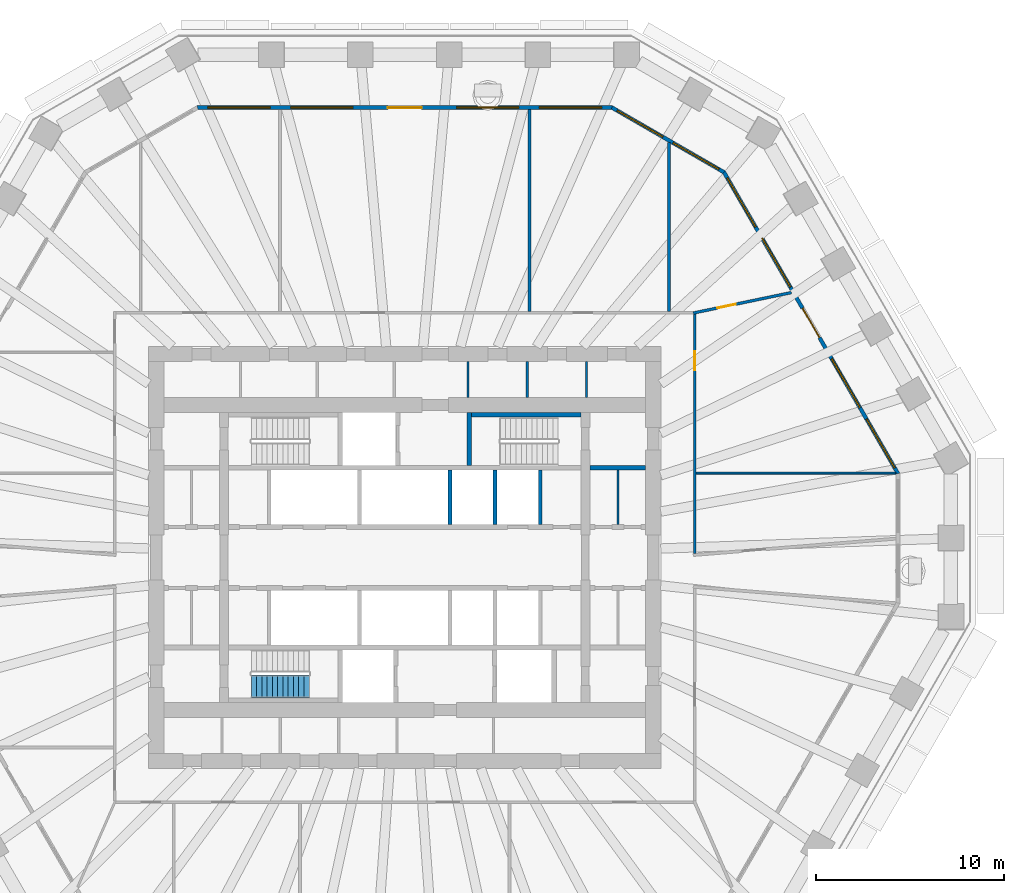
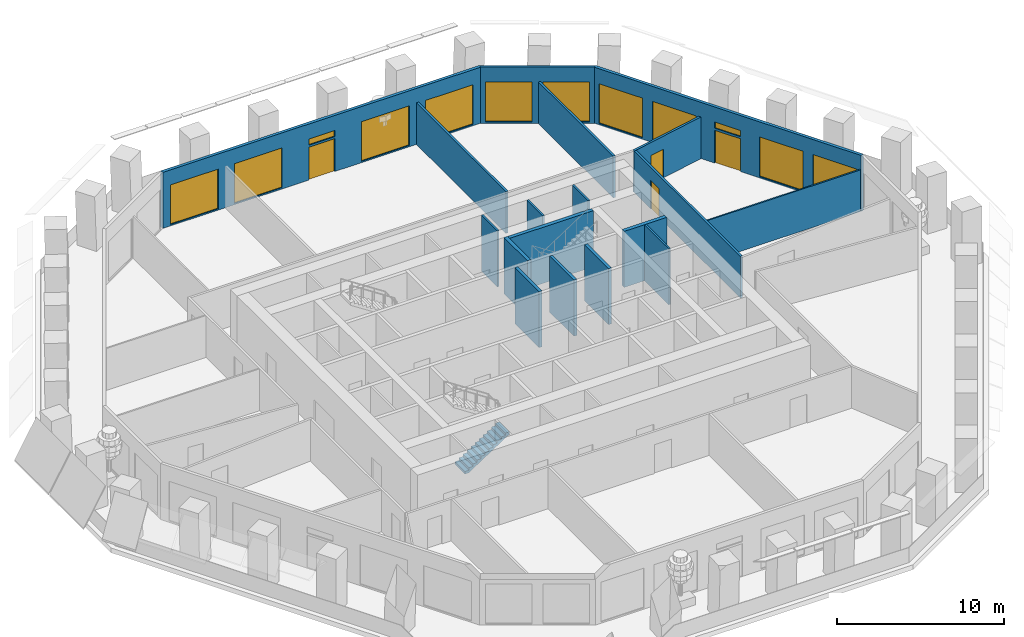
# One storey, part 8 of 13: 18 walls, 12 windows, 4 doors, 1 stair flight, 16 openings, 1 element without a shape of its own.
"""IFC4 building model written with IfcOpenShell, lengths in metres."""

from ifc_helpers import new_model, si_unit, direction, frame, frame_2d, origin, place, context, subcontext, project, spatial, polyline, rectangle, outline, extrude, material, layer, layer_set, type_object, element, fill, aggregate, save


model = new_model("IFC4")

# Units and contexts
model_context = context("Model", 3, precision=1e-05, world=origin(), true_north=direction((0.0, 1.0)))
body_context = subcontext(model_context, "Body", "Model", "MODEL_VIEW")
ifc_project = project(units=[si_unit("LENGTHUNIT", "METRE"), si_unit("AREAUNIT", "SQUARE_METRE"), si_unit("VOLUMEUNIT", "CUBIC_METRE"), si_unit("PLANEANGLEUNIT", "RADIAN"), si_unit("MASSUNIT", "GRAM", prefix="KILO")], contexts=[model_context])

# Site, building, storey
site_placement = place(None, origin())
site = spatial("IfcSite", under=ifc_project, at=site_placement, CompositionType="ELEMENT")
building_placement = place(site_placement, origin())
building = spatial("IfcBuilding", under=site, at=building_placement, Name="Frailejon Research Tower", CompositionType="ELEMENT")
storey_placement = place(building_placement, frame((0.0, 0.0, 113.199951171875)))
storey = spatial("IfcBuildingStorey", under=building, at=storey_placement, Name="L24", CompositionType="ELEMENT", Elevation=113.199951171875)

# Walls
ifc_material_1 = material(Name="Plasterboard on steel studs", Category="steel")
ifc_layer_1 = layer(ifc_material_1, 0.125)
ifc_layer_set_1 = layer_set([ifc_layer_1], Name="Core partition 125")
wall_type_1 = type_object("IfcWallType", Name="Core partition 125", PredefinedType="PARTITIONING", material=ifc_layer_set_1)
for number, where, z_axis, x_axis, name in (
    (1, (3.362548828125, 8.5, 0.0), (0.0, 0.0, 1.0), (0.0, 1.0, 0.0), "Core partition"),
    (2, (6.50830078125, 8.5, 0.0), (0.0, 0.0, 1.0), (0.0, 1.0, 0.0), "Core partition"),
    (3, (9.654296875, 8.5, 0.0), (0.0, 0.0, 1.0), (0.0, 1.0, 0.0), "Core partition"),
):
    element("IfcWall", number, at=place(storey_placement, frame(where, z_axis=z_axis, x_axis=x_axis)), inside=storey, type_object=wall_type_1, Name=name, PredefinedType="PARTITIONING", context=body_context, shape_type="SweptSolid", body=[
        extrude(rectangle(XDim=1.89990234375, YDim=0.125, at=frame_2d((0.949951171875, 0.0))), origin(), (0.0, 0.0, 1.0), 4.10009765625),
    ])
wall_1_placement = place(storey_placement, frame((11.324951171875, 1.75, 0.0), z_axis=(0.0, 0.0, 1.0), x_axis=(0.0, 1.0, 0.0)))
element("IfcWall", 4, at=wall_1_placement, inside=storey, type_object=wall_type_1, Name="Core partition", PredefinedType="PARTITIONING", context=body_context, shape_type="SweptSolid", body=[
    extrude(rectangle(XDim=2.89990234375, YDim=0.125, at=frame_2d((1.449951171875, 0.0))), origin(), (0.0, 0.0, 1.0), 4.10009765625),
])

# Wall, opening, door
ifc_material_2 = material(Name="Gypsum board and masonry partition", Category="masonry")
ifc_layer_2 = layer(ifc_material_2, 0.14990234375)
ifc_layer_set_2 = layer_set([ifc_layer_2], Name="Corridor wall EI 60, gypsum on steel studs 150")
wall_type_2 = type_object("IfcWallType", Name="Corridor wall EI 60, gypsum on steel studs 150", PredefinedType="PARTITIONING", material=ifc_layer_set_2)
wall_2_placement = place(storey_placement, frame((15.39990234375, 0.211181640625, 0.0), z_axis=(0.0, 0.0, 1.0), x_axis=(0.0, 1.0, 0.0)))
wall_2 = element("IfcWall", 5, at=wall_2_placement, inside=storey, type_object=wall_type_2, Name="T:IW:L24:002", PredefinedType="PARTITIONING", context=body_context, shape_type="SweptSolid", body=[
    extrude(rectangle(XDim=12.7138671875, YDim=0.14990234375, at=frame_2d((6.35693359375, 0.0))), origin(), (0.0, 0.0, 1.0), 3.050048828125),
])
opening_1_placement = place(wall_2_placement, frame((9.734375, 0.0, 0.0)))
opening_1 = element("IfcOpeningElement", 6, at=opening_1_placement, cuts=wall_2, Name="Opening D1600", PredefinedType="OPENING", context=body_context, shape_type="SweptSolid", body=[
    extrude(rectangle(XDim=1.0, YDim=2.10009765625, at=frame_2d((0.5, 1.050048828125))), frame((0.0, 0.0849609375, 0.0), z_axis=(0.0, -1.0, 0.0), x_axis=(1.0, 0.0, 0.0)), (0.0, 0.0, 1.0), 0.169921875),
])
ifc_material_3 = material(Name="Timber door leaf", Category="wood")
door_type_1 = type_object("IfcDoorType", Name="Door single leaf, timber, steel frame 1000", OperationType="NOTDEFINED", PredefinedType="DOOR", material=ifc_material_3)
door_1_placement = place(opening_1_placement, origin())
door_1 = element("IfcDoor", 7, at=door_1_placement, inside=storey, type_object=door_type_1, Name="D1600", OperationType="SINGLE_SWING_LEFT", OverallHeight=2.10009765625, OverallWidth=1.0, PredefinedType="DOOR", context=body_context, shape_type="SweptSolid", body=[
    extrude(rectangle(XDim=1.0, YDim=2.10009765625, at=frame_2d((0.5, 1.050048828125))), frame((0.0, 0.02490234375, 0.0), z_axis=(0.0, -1.0, 0.0), x_axis=(1.0, 0.0, 0.0)), (0.0, 0.0, 1.0), 0.050048828125),
])
fill(opening_1, door_1)

ifc_material_4 = material(Name="Gypsum board and masonry partition", Category="masonry")
ifc_layer_3 = layer(ifc_material_4, 0.14990234375)
ifc_layer_set_3 = layer_set([ifc_layer_3], Name="Laboratory partition, blockwork 150")
wall_type_3 = type_object("IfcWallType", Name="Laboratory partition, blockwork 150", PredefinedType="PARTITIONING", material=ifc_layer_set_3)
wall_3_placement = place(storey_placement, frame((15.32666015625, 12.984619140625, 0.0), z_axis=(0.0, 0.0, 1.0), x_axis=(0.978908186313, 0.204300667571, 0.0)))
wall_3 = element("IfcWall", 8, at=wall_3_placement, inside=storey, type_object=wall_type_3, Name="T:IW:L24:011", PredefinedType="PARTITIONING", context=body_context, shape_type="SweptSolid", body=[
    extrude(rectangle(XDim=5.319091796875, YDim=0.14990234375, at=frame_2d((2.65966796875, 0.0))), origin(), (0.0, 0.0, 1.0), 3.050048828125),
])
opening_2_placement = place(wall_3_placement, frame((1.31103515625, 0.0, 0.0)))
opening_2 = element("IfcOpeningElement", 9, at=opening_2_placement, cuts=wall_3, Name="Opening D1601", PredefinedType="OPENING", context=body_context, shape_type="SweptSolid", body=[
    extrude(rectangle(XDim=1.0, YDim=2.10009765625, at=frame_2d((0.5, 1.050048828125))), frame((0.0, 0.0849609375, 0.0), z_axis=(0.0, -1.0, 0.0), x_axis=(1.0, 0.0, 0.0)), (0.0, 0.0, 1.0), 0.169921875),
])
ifc_material_5 = material(Name="Timber door leaf", Category="wood")
door_type_2 = type_object("IfcDoorType", Name="Door laboratory, timber, vision panel 1000", OperationType="NOTDEFINED", PredefinedType="DOOR", material=ifc_material_5)
door_2_placement = place(opening_2_placement, origin())
door_2 = element("IfcDoor", 10, at=door_2_placement, inside=storey, type_object=door_type_2, Name="D1601", OperationType="SINGLE_SWING_RIGHT", OverallHeight=2.10009765625, OverallWidth=1.0, PredefinedType="DOOR", context=body_context, shape_type="SweptSolid", body=[
    extrude(rectangle(XDim=1.0, YDim=2.10009765625, at=frame_2d((0.5, 1.050048828125))), frame((0.0, 0.02490234375, 0.0), z_axis=(0.0, -1.0, 0.0), x_axis=(1.0, 0.0, 0.0)), (0.0, 0.0, 1.0), 0.050048828125),
])
fill(opening_2, door_2)

# Walls
wall_4_placement = place(storey_placement, frame((14.031982421875, 13.074951171875, 0.0), z_axis=(0.0, 0.0, 1.0), x_axis=(0.0, 1.0, 0.0)))
element("IfcWall", 11, at=wall_4_placement, inside=storey, type_object=wall_type_3, Name="T:IW:L24:012", PredefinedType="PARTITIONING", context=body_context, shape_type="SweptSolid", body=[
    extrude(rectangle(XDim=8.962158203125, YDim=0.14990234375, at=frame_2d((4.48095703125, 0.0))), origin(), (0.0, 0.0, 1.0), 3.050048828125),
])
wall_5_placement = place(storey_placement, frame((6.619384765625, 13.074951171875, 0.0), z_axis=(0.0, 0.0, 1.0), x_axis=(0.0, 1.0, 0.0)))
element("IfcWall", 12, at=wall_5_placement, inside=storey, type_object=wall_type_3, Name="T:IW:L24:013", PredefinedType="PARTITIONING", context=body_context, shape_type="SweptSolid", body=[
    extrude(rectangle(XDim=10.72509765625, YDim=0.14990234375, at=frame_2d((5.362548828125, 0.0))), origin(), (0.0, 0.0, 1.0), 3.050048828125),
])
ifc_material_6 = material(Name="Gypsum board and masonry partition", Category="masonry")
ifc_layer_4 = layer(ifc_material_6, 0.10009765625)
ifc_layer_set_4 = layer_set([ifc_layer_4], Name="Partition, gypsum on steel studs 100")
wall_type_4 = type_object("IfcWallType", Name="Partition, gypsum on steel studs 100", PredefinedType="PARTITIONING", material=ifc_layer_set_4)
wall_6_placement = place(storey_placement, frame((15.47509765625, 4.482421875, 0.0), z_axis=(0.0, 0.0, 1.0), x_axis=(1.0, 0.0, 0.0)))
element("IfcWall", 13, at=wall_6_placement, inside=storey, type_object=wall_type_4, Name="T:IW:L24:021", PredefinedType="PARTITIONING", context=body_context, shape_type="SweptSolid", body=[
    extrude(rectangle(XDim=10.594482421875, YDim=0.10009765625, at=frame_2d((5.29736328125, 0.0))), origin(), (0.0, 0.0, 1.0), 3.050048828125),
])
ifc_material_7 = material(Name="Concrete C70/85", Category="concrete")
ifc_layer_5 = layer(ifc_material_7, 0.199951171875)
ifc_layer_set_5 = layer_set([ifc_layer_5], Name="Shaft wall 200 C70/85")
wall_type_5 = type_object("IfcWallType", Name="Shaft wall 200 C70/85", PredefinedType="SOLIDWALL", material=ifc_layer_set_5)
for number, where, z_axis, x_axis, name in (
    (14, (2.39990234375, 1.75, 0.0), (0.0, 0.0, 1.0), (0.0, 1.0, 0.0), "Shaft wall"),
    (15, (4.800048828125, 1.75, 0.0), (0.0, 0.0, 1.0), (0.0, 1.0, 0.0), "Shaft wall"),
    (16, (7.199951171875, 1.75, 0.0), (0.0, 0.0, 1.0), (0.0, 1.0, 0.0), "Shaft wall"),
):
    element("IfcWall", number, at=place(storey_placement, frame(where, z_axis=z_axis, x_axis=x_axis)), inside=storey, type_object=wall_type_5, Name=name, PredefinedType="SOLIDWALL", context=body_context, shape_type="SweptSolid", body=[
        extrude(rectangle(XDim=2.89990234375, YDim=0.199951171875, at=frame_2d((1.449951171875, 0.0))), origin(), (0.0, 0.0, 1.0), 4.10009765625),
    ])
ifc_material_8 = material(Name="Concrete C70/85", Category="concrete")
ifc_layer_6 = layer(ifc_material_8, 0.25)
ifc_layer_set_6 = layer_set([ifc_layer_6], Name="Shaft wall 250 C70/85")
wall_type_6 = type_object("IfcWallType", Name="Shaft wall 250 C70/85", PredefinedType="SOLIDWALL", material=ifc_layer_set_6)
wall_7_placement = place(storey_placement, frame((9.85009765625, 4.77490234375, 0.0), z_axis=(0.0, 0.0, 1.0), x_axis=(1.0, 0.0, 0.0)))
element("IfcWall", 17, at=wall_7_placement, inside=storey, type_object=wall_type_6, Name="Shaft wall", PredefinedType="SOLIDWALL", context=body_context, shape_type="SweptSolid", body=[
    extrude(rectangle(XDim=2.949951171875, YDim=0.25, at=frame_2d((1.47509765625, 0.0))), origin(), (0.0, 0.0, 1.0), 4.10009765625),
])
wall_8_placement = place(storey_placement, frame((3.550048828125, 7.574951171875, 0.0), z_axis=(0.0, 0.0, 1.0), x_axis=(1.0, 0.0, 0.0)))
element("IfcWall", 18, at=wall_8_placement, inside=storey, type_object=wall_type_6, Name="Shaft wall", PredefinedType="SOLIDWALL", context=body_context, shape_type="SweptSolid", body=[
    extrude(rectangle(XDim=5.800048828125, YDim=0.25, at=frame_2d((2.89990234375, 0.0))), origin(), (0.0, 0.0, 1.0), 4.10009765625),
])
wall_9_placement = place(storey_placement, frame((3.425048828125, 4.89990234375, 0.0), z_axis=(0.0, 0.0, 1.0), x_axis=(0.0, 1.0, 0.0)))
element("IfcWall", 19, at=wall_9_placement, inside=storey, type_object=wall_type_6, Name="Shaft wall", PredefinedType="SOLIDWALL", context=body_context, shape_type="SweptSolid", body=[
    extrude(rectangle(XDim=2.800048828125, YDim=0.25, at=frame_2d((1.39990234375, 0.0))), origin(), (0.0, 0.0, 1.0), 4.10009765625),
])

# Wall, openings, door, windows
ifc_material_9 = material(Name="Concrete C40/50 precast window wall panel", Category="concrete")
ifc_layer_7 = layer(ifc_material_9, 0.199951171875)
ifc_layer_set_7 = layer_set([ifc_layer_7], Name="Window wall 200")
wall_type_7 = type_object("IfcWallType", Name="Window wall 200", PredefinedType="SOLIDWALL", material=ifc_layer_set_7)
wall_10_placement = place(storey_placement, frame((26.20068359375, 4.45556640625, 0.0), z_axis=(0.0, 0.0, 1.0), x_axis=(-0.500000293238, 0.866025234483, 0.0)))
wall_10 = element("IfcWall", 20, at=wall_10_placement, inside=storey, type_object=wall_type_7, Name="Exterior wall L24", PredefinedType="SOLIDWALL", context=body_context, shape_type="SweptSolid", body=[
    extrude(outline(polyline([(-0.02685546875, -0.10009765625), (1.0029296875, -0.10009765625), (2.03271484375, -0.10009765625), (3.062744140625, -0.10009765625), (4.092529296875, -0.10009765625), (5.122314453125, -0.10009765625), (6.152099609375, -0.10009765625), (7.18212890625, -0.10009765625), (8.2119140625, -0.10009765625), (9.24169921875, -0.10009765625), (10.271484375, -0.10009765625), (11.30126953125, -0.10009765625), (12.331298828125, -0.10009765625), (13.361083984375, -0.10009765625), (14.390869140625, -0.10009765625), (15.420654296875, -0.10009765625), (16.45068359375, -0.10009765625), (17.48046875, -0.10009765625), (18.51025390625, -0.10009765625), (18.45654296875, 0.10009765625), (17.4326171875, 0.10009765625), (16.40869140625, 0.10009765625), (15.385009765625, 0.10009765625), (14.361083984375, 0.10009765625), (13.337158203125, 0.10009765625), (12.313232421875, 0.10009765625), (11.28955078125, 0.10009765625), (10.265625, 0.10009765625), (9.24169921875, 0.10009765625), (8.2177734375, 0.10009765625), (7.19384765625, 0.10009765625), (6.170166015625, 0.10009765625), (5.146240234375, 0.10009765625), (4.122314453125, 0.10009765625), (3.098388671875, 0.10009765625), (2.07470703125, 0.10009765625), (1.05078125, 0.10009765625), (0.02685546875, 0.10009765625), (-0.02685546875, -0.10009765625)])), origin(), (0.0, 0.0, 1.0), 4.10009765625),
])
opening_3_placement = place(wall_10_placement, frame((0.348388671875, 0.0, 0.10009765625)))
opening_3 = element("IfcOpeningElement", 21, at=opening_3_placement, cuts=wall_10, Name="Opening W4", PredefinedType="OPENING", context=body_context, shape_type="SweptSolid", body=[
    extrude(rectangle(XDim=3.0, YDim=2.89990234375, at=frame_2d((1.5, 1.449951171875))), frame((0.0, 0.10986328125, 0.0), z_axis=(0.0, -1.0, 0.0), x_axis=(1.0, 0.0, 0.0)), (0.0, 0.0, 1.0), 0.219970703125),
])
opening_4_placement = place(wall_10_placement, frame((4.044921875, 0.0, 0.10009765625)))
opening_4 = element("IfcOpeningElement", 22, at=opening_4_placement, cuts=wall_10, Name="Opening W4", PredefinedType="OPENING", context=body_context, shape_type="SweptSolid", body=[
    extrude(rectangle(XDim=3.0, YDim=2.89990234375, at=frame_2d((1.5, 1.449951171875))), frame((0.0, 0.10986328125, 0.0), z_axis=(0.0, -1.0, 0.0), x_axis=(1.0, 0.0, 0.0)), (0.0, 0.0, 1.0), 0.219970703125),
])
opening_5_placement = place(wall_10_placement, frame((8.341796875, 0.0, 0.0)))
opening_5 = element("IfcOpeningElement", 23, at=opening_5_placement, cuts=wall_10, Name="Opening LG24-1", PredefinedType="OPENING", context=body_context, shape_type="SweptSolid", body=[
    extrude(rectangle(XDim=1.800048828125, YDim=2.39990234375, at=frame_2d((0.89990234375, 1.199951171875))), frame((0.0, 0.10986328125, 0.0), z_axis=(0.0, -1.0, 0.0), x_axis=(1.0, 0.0, 0.0)), (0.0, 0.0, 1.0), 0.219970703125),
])
opening_6_placement = place(wall_10_placement, frame((8.341796875, 0.0, 2.550048828125)))
opening_6 = element("IfcOpeningElement", 24, at=opening_6_placement, cuts=wall_10, Name="Opening W1", PredefinedType="OPENING", context=body_context, shape_type="SweptSolid", body=[
    extrude(rectangle(XDim=1.800048828125, YDim=0.449951171875, at=frame_2d((0.89990234375, 0.22509765625))), frame((0.0, 0.10986328125, 0.0), z_axis=(0.0, -1.0, 0.0), x_axis=(1.0, 0.0, 0.0)), (0.0, 0.0, 1.0), 0.219970703125),
])
opening_7_placement = place(wall_10_placement, frame((11.4384765625, 0.0, 0.10009765625)))
opening_7 = element("IfcOpeningElement", 25, at=opening_7_placement, cuts=wall_10, Name="Opening W4", PredefinedType="OPENING", context=body_context, shape_type="SweptSolid", body=[
    extrude(rectangle(XDim=3.0, YDim=2.89990234375, at=frame_2d((1.5, 1.449951171875))), frame((0.0, 0.10986328125, 0.0), z_axis=(0.0, -1.0, 0.0), x_axis=(1.0, 0.0, 0.0)), (0.0, 0.0, 1.0), 0.219970703125),
])
opening_8_placement = place(wall_10_placement, frame((15.135009765625, 0.0, 0.10009765625)))
opening_8 = element("IfcOpeningElement", 26, at=opening_8_placement, cuts=wall_10, Name="Opening W4", PredefinedType="OPENING", context=body_context, shape_type="SweptSolid", body=[
    extrude(rectangle(XDim=3.0, YDim=2.89990234375, at=frame_2d((1.5, 1.449951171875))), frame((0.0, 0.10986328125, 0.0), z_axis=(0.0, -1.0, 0.0), x_axis=(1.0, 0.0, 0.0)), (0.0, 0.0, 1.0), 0.219970703125),
])
ifc_material_10 = material(Name="Aluminium framed glazed door leaf", Category="aluminium")
door_type_3 = type_object("IfcDoorType", Name="Loggia door 1800x2400", OperationType="DOUBLE_DOOR_SINGLE_SWING", PredefinedType="DOOR", material=ifc_material_10)
door_3_placement = place(opening_5_placement, origin())
door_3 = element("IfcDoor", 27, at=door_3_placement, inside=storey, type_object=door_type_3, Name="Door LG24-1", OperationType="DOUBLE_DOOR_SINGLE_SWING", OverallHeight=2.39990234375, OverallWidth=1.800048828125, PredefinedType="DOOR", context=body_context, shape_type="SweptSolid", body=[
    extrude(rectangle(XDim=1.800048828125, YDim=2.39990234375, at=frame_2d((0.89990234375, 1.199951171875))), frame((0.0, 0.02490234375, 0.0), z_axis=(0.0, -1.0, 0.0), x_axis=(1.0, 0.0, 0.0)), (0.0, 0.0, 1.0), 0.050048828125),
])
fill(opening_5, door_3)
ifc_material_11 = material(Name="Aluminium framed double glazing", Category="aluminium")
window_type_1 = type_object("IfcWindowType", Name="Window 1800x450", PartitioningType="SINGLE_PANEL", PredefinedType="WINDOW", material=ifc_material_11)
window_1_placement = place(opening_6_placement, origin())
window_1 = element("IfcWindow", 28, at=window_1_placement, inside=storey, type_object=window_type_1, Name="Window L24", OverallHeight=0.449951171875, OverallWidth=1.800048828125, PartitioningType="SINGLE_PANEL", PredefinedType="WINDOW", context=body_context, shape_type="SweptSolid", body=[
    extrude(rectangle(XDim=1.800048828125, YDim=0.449951171875, at=frame_2d((0.89990234375, 0.22509765625))), frame((0.0, 0.030029296875, 0.0), z_axis=(0.0, -1.0, 0.0), x_axis=(1.0, 0.0, 0.0)), (0.0, 0.0, 1.0), 0.06005859375),
])
fill(opening_6, window_1)
ifc_material_12 = material(Name="Aluminium framed double glazing", Category="aluminium")
window_type_2 = type_object("IfcWindowType", Name="Window 3000x2900", PartitioningType="SINGLE_PANEL", PredefinedType="WINDOW", material=ifc_material_12)
window_2_placement = place(opening_3_placement, origin())
window_2 = element("IfcWindow", 29, at=window_2_placement, inside=storey, type_object=window_type_2, Name="Window L24", OverallHeight=2.89990234375, OverallWidth=3.0, PartitioningType="SINGLE_PANEL", PredefinedType="WINDOW", context=body_context, shape_type="SweptSolid", body=[
    extrude(rectangle(XDim=3.0, YDim=2.89990234375, at=frame_2d((1.5, 1.449951171875))), frame((0.0, 0.030029296875, 0.0), z_axis=(0.0, -1.0, 0.0), x_axis=(1.0, 0.0, 0.0)), (0.0, 0.0, 1.0), 0.06005859375),
])
fill(opening_3, window_2)
window_3_placement = place(opening_4_placement, origin())
window_3 = element("IfcWindow", 30, at=window_3_placement, inside=storey, type_object=window_type_2, Name="Window L24", OverallHeight=2.89990234375, OverallWidth=3.0, PartitioningType="SINGLE_PANEL", PredefinedType="WINDOW", context=body_context, shape_type="SweptSolid", body=[
    extrude(rectangle(XDim=3.0, YDim=2.89990234375, at=frame_2d((1.5, 1.449951171875))), frame((0.0, 0.030029296875, 0.0), z_axis=(0.0, -1.0, 0.0), x_axis=(1.0, 0.0, 0.0)), (0.0, 0.0, 1.0), 0.06005859375),
])
fill(opening_4, window_3)
window_4_placement = place(opening_7_placement, origin())
window_4 = element("IfcWindow", 31, at=window_4_placement, inside=storey, type_object=window_type_2, Name="Window L24", OverallHeight=2.89990234375, OverallWidth=3.0, PartitioningType="SINGLE_PANEL", PredefinedType="WINDOW", context=body_context, shape_type="SweptSolid", body=[
    extrude(rectangle(XDim=3.0, YDim=2.89990234375, at=frame_2d((1.5, 1.449951171875))), frame((0.0, 0.030029296875, 0.0), z_axis=(0.0, -1.0, 0.0), x_axis=(1.0, 0.0, 0.0)), (0.0, 0.0, 1.0), 0.06005859375),
])
fill(opening_7, window_4)
window_5_placement = place(opening_8_placement, origin())
window_5 = element("IfcWindow", 32, at=window_5_placement, inside=storey, type_object=window_type_2, Name="Window L24", OverallHeight=2.89990234375, OverallWidth=3.0, PartitioningType="SINGLE_PANEL", PredefinedType="WINDOW", context=body_context, shape_type="SweptSolid", body=[
    extrude(rectangle(XDim=3.0, YDim=2.89990234375, at=frame_2d((1.5, 1.449951171875))), frame((0.0, 0.030029296875, 0.0), z_axis=(0.0, -1.0, 0.0), x_axis=(1.0, 0.0, 0.0)), (0.0, 0.0, 1.0), 0.06005859375),
])
fill(opening_8, window_5)

# Wall, openings, windows
wall_11_placement = place(storey_placement, frame((16.958984375, 20.462646484375, 0.0), z_axis=(0.0, 0.0, 1.0), x_axis=(-0.866029458321, 0.49999297727, 0.0)))
wall_11 = element("IfcWall", 33, at=wall_11_placement, inside=storey, type_object=wall_type_7, Name="Exterior wall L24", PredefinedType="SOLIDWALL", context=body_context, shape_type="SweptSolid", body=[
    extrude(outline(polyline([(-0.02685546875, -0.10009765625), (1.1279296875, -0.10009765625), (2.282470703125, -0.10009765625), (3.437255859375, -0.10009765625), (4.592041015625, -0.10009765625), (5.74658203125, -0.10009765625), (6.9013671875, -0.10009765625), (6.84765625, 0.10009765625), (5.7109375, 0.10009765625), (4.573974609375, 0.10009765625), (3.437255859375, 0.10009765625), (2.300537109375, 0.10009765625), (1.16357421875, 0.10009765625), (0.02685546875, 0.10009765625), (-0.02685546875, -0.10009765625)])), origin(), (0.0, 0.0, 1.0), 4.10009765625),
])
opening_9_placement = place(wall_11_placement, frame((0.318603515625, 0.0, 0.10009765625)))
opening_9 = element("IfcOpeningElement", 34, at=opening_9_placement, cuts=wall_11, Name="Opening W3", PredefinedType="OPENING", context=body_context, shape_type="SweptSolid", body=[
    extrude(rectangle(XDim=2.800048828125, YDim=2.89990234375, at=frame_2d((1.39990234375, 1.449951171875))), frame((0.0, 0.10986328125, 0.0), z_axis=(0.0, -1.0, 0.0), x_axis=(1.0, 0.0, 0.0)), (0.0, 0.0, 1.0), 0.219970703125),
])
opening_10_placement = place(wall_11_placement, frame((3.756103515625, 0.0, 0.10009765625)))
opening_10 = element("IfcOpeningElement", 35, at=opening_10_placement, cuts=wall_11, Name="Opening W3", PredefinedType="OPENING", context=body_context, shape_type="SweptSolid", body=[
    extrude(rectangle(XDim=2.800048828125, YDim=2.89990234375, at=frame_2d((1.39990234375, 1.449951171875))), frame((0.0, 0.10986328125, 0.0), z_axis=(0.0, -1.0, 0.0), x_axis=(1.0, 0.0, 0.0)), (0.0, 0.0, 1.0), 0.219970703125),
])
ifc_material_13 = material(Name="Aluminium framed double glazing", Category="aluminium")
window_type_3 = type_object("IfcWindowType", Name="Window 2800x2900", PartitioningType="SINGLE_PANEL", PredefinedType="WINDOW", material=ifc_material_13)
window_6_placement = place(opening_9_placement, origin())
window_6 = element("IfcWindow", 36, at=window_6_placement, inside=storey, type_object=window_type_3, Name="Window L24", OverallHeight=2.89990234375, OverallWidth=2.800048828125, PartitioningType="SINGLE_PANEL", PredefinedType="WINDOW", context=body_context, shape_type="SweptSolid", body=[
    extrude(rectangle(XDim=2.800048828125, YDim=2.89990234375, at=frame_2d((1.39990234375, 1.449951171875))), frame((0.0, 0.030029296875, 0.0), z_axis=(0.0, -1.0, 0.0), x_axis=(1.0, 0.0, 0.0)), (0.0, 0.0, 1.0), 0.06005859375),
])
fill(opening_9, window_6)
window_7_placement = place(opening_10_placement, origin())
window_7 = element("IfcWindow", 37, at=window_7_placement, inside=storey, type_object=window_type_3, Name="Window L24", OverallHeight=2.89990234375, OverallWidth=2.800048828125, PartitioningType="SINGLE_PANEL", PredefinedType="WINDOW", context=body_context, shape_type="SweptSolid", body=[
    extrude(rectangle(XDim=2.800048828125, YDim=2.89990234375, at=frame_2d((1.39990234375, 1.449951171875))), frame((0.0, 0.030029296875, 0.0), z_axis=(0.0, -1.0, 0.0), x_axis=(1.0, 0.0, 0.0)), (0.0, 0.0, 1.0), 0.06005859375),
])
fill(opening_10, window_7)

# Wall, openings, door, windows
wall_12_placement = place(storey_placement, frame((11.00537109375, 23.89990234375, 0.0), z_axis=(0.0, 0.0, 1.0), x_axis=(-1.0, 0.0, 0.0)))
wall_12 = element("IfcWall", 38, at=wall_12_placement, inside=storey, type_object=wall_type_7, Name="Exterior wall L24", PredefinedType="SOLIDWALL", context=body_context, shape_type="SweptSolid", body=[
    extrude(outline(polyline([(-0.02685546875, -0.10009765625), (0.97607421875, -0.10009765625), (1.97900390625, -0.10009765625), (2.98193359375, -0.10009765625), (3.98486328125, -0.10009765625), (4.98779296875, -0.10009765625), (5.99072265625, -0.10009765625), (6.99365234375, -0.10009765625), (7.99658203125, -0.10009765625), (8.99951171875, -0.10009765625), (10.00244140625, -0.10009765625), (11.00537109375, -0.10009765625), (12.00830078125, -0.10009765625), (13.01123046875, -0.10009765625), (14.01416015625, -0.10009765625), (15.01708984375, -0.10009765625), (16.02001953125, -0.10009765625), (17.02294921875, -0.10009765625), (18.02587890625, -0.10009765625), (19.02880859375, -0.10009765625), (20.03173828125, -0.10009765625), (21.03466796875, -0.10009765625), (22.03759765625, -0.10009765625), (21.98388671875, 0.10009765625), (20.98583984375, 0.10009765625), (19.98779296875, 0.10009765625), (18.98974609375, 0.10009765625), (17.99169921875, 0.10009765625), (16.99365234375, 0.10009765625), (15.99560546875, 0.10009765625), (14.99755859375, 0.10009765625), (13.99951171875, 0.10009765625), (13.00146484375, 0.10009765625), (12.00341796875, 0.10009765625), (11.00537109375, 0.10009765625), (10.00732421875, 0.10009765625), (9.00927734375, 0.10009765625), (8.01123046875, 0.10009765625), (7.01318359375, 0.10009765625), (6.01513671875, 0.10009765625), (5.01708984375, 0.10009765625), (4.01904296875, 0.10009765625), (3.02099609375, 0.10009765625), (2.02294921875, 0.10009765625), (1.02490234375, 0.10009765625), (0.02685546875, 0.10009765625), (-0.02685546875, -0.10009765625)])), origin(), (0.0, 0.0, 1.0), 4.10009765625),
])
opening_11_placement = place(wall_12_placement, frame((0.551025390625, 0.0, 0.10009765625)))
opening_11 = element("IfcOpeningElement", 39, at=opening_11_placement, cuts=wall_12, Name="Opening W5", PredefinedType="OPENING", context=body_context, shape_type="SweptSolid", body=[
    extrude(rectangle(XDim=3.300048828125, YDim=2.89990234375, at=frame_2d((1.64990234375, 1.449951171875))), frame((0.0, 0.10986328125, 0.0), z_axis=(0.0, -1.0, 0.0), x_axis=(1.0, 0.0, 0.0)), (0.0, 0.0, 1.0), 0.219970703125),
])
opening_12_placement = place(wall_12_placement, frame((4.953125, 0.0, 0.10009765625)))
opening_12 = element("IfcOpeningElement", 40, at=opening_12_placement, cuts=wall_12, Name="Opening W5", PredefinedType="OPENING", context=body_context, shape_type="SweptSolid", body=[
    extrude(rectangle(XDim=3.300048828125, YDim=2.89990234375, at=frame_2d((1.64990234375, 1.449951171875))), frame((0.0, 0.10986328125, 0.0), z_axis=(0.0, -1.0, 0.0), x_axis=(1.0, 0.0, 0.0)), (0.0, 0.0, 1.0), 0.219970703125),
])
opening_13_placement = place(wall_12_placement, frame((10.105224609375, 0.0, 0.0)))
opening_13 = element("IfcOpeningElement", 41, at=opening_13_placement, cuts=wall_12, Name="Opening LG24-2", PredefinedType="OPENING", context=body_context, shape_type="SweptSolid", body=[
    extrude(rectangle(XDim=1.800048828125, YDim=2.39990234375, at=frame_2d((0.89990234375, 1.199951171875))), frame((0.0, 0.10986328125, 0.0), z_axis=(0.0, -1.0, 0.0), x_axis=(1.0, 0.0, 0.0)), (0.0, 0.0, 1.0), 0.219970703125),
])
opening_14_placement = place(wall_12_placement, frame((10.105224609375, 0.0, 2.550048828125)))
opening_14 = element("IfcOpeningElement", 42, at=opening_14_placement, cuts=wall_12, Name="Opening W1", PredefinedType="OPENING", context=body_context, shape_type="SweptSolid", body=[
    extrude(rectangle(XDim=1.800048828125, YDim=0.449951171875, at=frame_2d((0.89990234375, 0.22509765625))), frame((0.0, 0.10986328125, 0.0), z_axis=(0.0, -1.0, 0.0), x_axis=(1.0, 0.0, 0.0)), (0.0, 0.0, 1.0), 0.219970703125),
])
opening_15_placement = place(wall_12_placement, frame((13.757568359375, 0.0, 0.10009765625)))
opening_15 = element("IfcOpeningElement", 43, at=opening_15_placement, cuts=wall_12, Name="Opening W5", PredefinedType="OPENING", context=body_context, shape_type="SweptSolid", body=[
    extrude(rectangle(XDim=3.300048828125, YDim=2.89990234375, at=frame_2d((1.64990234375, 1.449951171875))), frame((0.0, 0.10986328125, 0.0), z_axis=(0.0, -1.0, 0.0), x_axis=(1.0, 0.0, 0.0)), (0.0, 0.0, 1.0), 0.219970703125),
])
opening_16_placement = place(wall_12_placement, frame((18.15966796875, 0.0, 0.10009765625)))
opening_16 = element("IfcOpeningElement", 44, at=opening_16_placement, cuts=wall_12, Name="Opening W5", PredefinedType="OPENING", context=body_context, shape_type="SweptSolid", body=[
    extrude(rectangle(XDim=3.300048828125, YDim=2.89990234375, at=frame_2d((1.64990234375, 1.449951171875))), frame((0.0, 0.10986328125, 0.0), z_axis=(0.0, -1.0, 0.0), x_axis=(1.0, 0.0, 0.0)), (0.0, 0.0, 1.0), 0.219970703125),
])
door_4_placement = place(opening_13_placement, origin())
door_4 = element("IfcDoor", 45, at=door_4_placement, inside=storey, type_object=door_type_3, Name="Door LG24-2", OperationType="DOUBLE_DOOR_SINGLE_SWING", OverallHeight=2.39990234375, OverallWidth=1.800048828125, PredefinedType="DOOR", context=body_context, shape_type="SweptSolid", body=[
    extrude(rectangle(XDim=1.800048828125, YDim=2.39990234375, at=frame_2d((0.89990234375, 1.199951171875))), frame((0.0, 0.02490234375, 0.0), z_axis=(0.0, -1.0, 0.0), x_axis=(1.0, 0.0, 0.0)), (0.0, 0.0, 1.0), 0.050048828125),
])
fill(opening_13, door_4)
window_8_placement = place(opening_14_placement, origin())
window_8 = element("IfcWindow", 46, at=window_8_placement, inside=storey, type_object=window_type_1, Name="Window L24", OverallHeight=0.449951171875, OverallWidth=1.800048828125, PartitioningType="SINGLE_PANEL", PredefinedType="WINDOW", context=body_context, shape_type="SweptSolid", body=[
    extrude(rectangle(XDim=1.800048828125, YDim=0.449951171875, at=frame_2d((0.89990234375, 0.22509765625))), frame((0.0, 0.030029296875, 0.0), z_axis=(0.0, -1.0, 0.0), x_axis=(1.0, 0.0, 0.0)), (0.0, 0.0, 1.0), 0.06005859375),
])
fill(opening_14, window_8)
ifc_material_14 = material(Name="Aluminium framed double glazing", Category="aluminium")
window_type_4 = type_object("IfcWindowType", Name="Window 3300x2900", PartitioningType="SINGLE_PANEL", PredefinedType="WINDOW", material=ifc_material_14)
window_9_placement = place(opening_11_placement, origin())
window_9 = element("IfcWindow", 47, at=window_9_placement, inside=storey, type_object=window_type_4, Name="Window L24", OverallHeight=2.89990234375, OverallWidth=3.300048828125, PartitioningType="SINGLE_PANEL", PredefinedType="WINDOW", context=body_context, shape_type="SweptSolid", body=[
    extrude(rectangle(XDim=3.300048828125, YDim=2.89990234375, at=frame_2d((1.64990234375, 1.449951171875))), frame((0.0, 0.030029296875, 0.0), z_axis=(0.0, -1.0, 0.0), x_axis=(1.0, 0.0, 0.0)), (0.0, 0.0, 1.0), 0.06005859375),
])
fill(opening_11, window_9)
window_10_placement = place(opening_12_placement, origin())
window_10 = element("IfcWindow", 48, at=window_10_placement, inside=storey, type_object=window_type_4, Name="Window L24", OverallHeight=2.89990234375, OverallWidth=3.300048828125, PartitioningType="SINGLE_PANEL", PredefinedType="WINDOW", context=body_context, shape_type="SweptSolid", body=[
    extrude(rectangle(XDim=3.300048828125, YDim=2.89990234375, at=frame_2d((1.64990234375, 1.449951171875))), frame((0.0, 0.030029296875, 0.0), z_axis=(0.0, -1.0, 0.0), x_axis=(1.0, 0.0, 0.0)), (0.0, 0.0, 1.0), 0.06005859375),
])
fill(opening_12, window_10)
window_11_placement = place(opening_15_placement, origin())
window_11 = element("IfcWindow", 49, at=window_11_placement, inside=storey, type_object=window_type_4, Name="Window L24", OverallHeight=2.89990234375, OverallWidth=3.300048828125, PartitioningType="SINGLE_PANEL", PredefinedType="WINDOW", context=body_context, shape_type="SweptSolid", body=[
    extrude(rectangle(XDim=3.300048828125, YDim=2.89990234375, at=frame_2d((1.64990234375, 1.449951171875))), frame((0.0, 0.030029296875, 0.0), z_axis=(0.0, -1.0, 0.0), x_axis=(1.0, 0.0, 0.0)), (0.0, 0.0, 1.0), 0.06005859375),
])
fill(opening_15, window_11)
window_12_placement = place(opening_16_placement, origin())
window_12 = element("IfcWindow", 50, at=window_12_placement, inside=storey, type_object=window_type_4, Name="Window L24", OverallHeight=2.89990234375, OverallWidth=3.300048828125, PartitioningType="SINGLE_PANEL", PredefinedType="WINDOW", context=body_context, shape_type="SweptSolid", body=[
    extrude(rectangle(XDim=3.300048828125, YDim=2.89990234375, at=frame_2d((1.64990234375, 1.449951171875))), frame((0.0, 0.030029296875, 0.0), z_axis=(0.0, -1.0, 0.0), x_axis=(1.0, 0.0, 0.0)), (0.0, 0.0, 1.0), 0.06005859375),
])
fill(opening_16, window_12)

# Stair, stair flight
ifc_material_15 = material(Name="Concrete C50/60", Category="concrete")
stair_type = type_object("IfcStairType", Name="Exit stair 24 risers", PredefinedType="HALF_TURN_STAIR", material=ifc_material_15)
stair_placement = place(storey_placement, origin())
stair = element("IfcStair", 51, at=stair_placement, inside=storey, type_object=stair_type, Name="L24 Exit stair ST2", PredefinedType="HALF_TURN_STAIR")
ifc_material_16 = material(Name="Concrete C50/60", Category="concrete")
ifc_layer_8 = layer(ifc_material_16, 0.14990234375)
ifc_layer_set_8 = layer_set([ifc_layer_8], Name="Stair flight 12 risers")
stair_flight_type = type_object("IfcStairFlightType", Name="Stair flight 12 risers", PredefinedType="STRAIGHT", material=ifc_layer_set_8)
stair_flight_placement = place(storey_placement, frame((-8.14990234375, -6.85009765625, 0.0), z_axis=(0.0, 0.0, 1.0), x_axis=(1.0, 0.0, 0.0)))
stair_flight = element("IfcStairFlight", 52, at=stair_flight_placement, type_object=stair_flight_type, Name="ST2 flight 1", NumberOfRisers=12, NumberOfTreads=11, PredefinedType="STRAIGHT", RiserHeight=0.183333333, TreadLength=0.28, context=body_context, shape_type="SweptSolid", body=[
    extrude(outline(polyline([(0.0, 0.0), (0.0, 0.183349609375), (0.280029296875, 0.183349609375), (0.280029296875, 0.36669921875), (0.56005859375, 0.36669921875), (0.56005859375, 0.550048828125), (0.840087890625, 0.550048828125), (0.840087890625, 0.7333984375), (1.1201171875, 0.7333984375), (1.1201171875, 0.916748046875), (1.39990234375, 0.916748046875), (1.39990234375, 1.10009765625), (1.679931640625, 1.10009765625), (1.679931640625, 1.283447265625), (1.9599609375, 1.283447265625), (1.9599609375, 1.466552734375), (2.239990234375, 1.466552734375), (2.239990234375, 1.64990234375), (2.52001953125, 1.64990234375), (2.52001953125, 1.833251953125), (2.800048828125, 1.833251953125), (2.800048828125, 2.0166015625), (3.080078125, 2.0166015625), (3.080078125, 2.199951171875), (3.080078125, 1.83740234375), (0.273681640625, 0.0), (0.0, 0.0)])), frame((0.0, 0.60009765625, 0.0), z_axis=(0.0, -1.0, 0.0), x_axis=(1.0, 0.0, 0.0)), (0.0, 0.0, 1.0), 1.199951171875),
])
aggregate(stair, [stair_flight])

save(model, "model.ifc")
